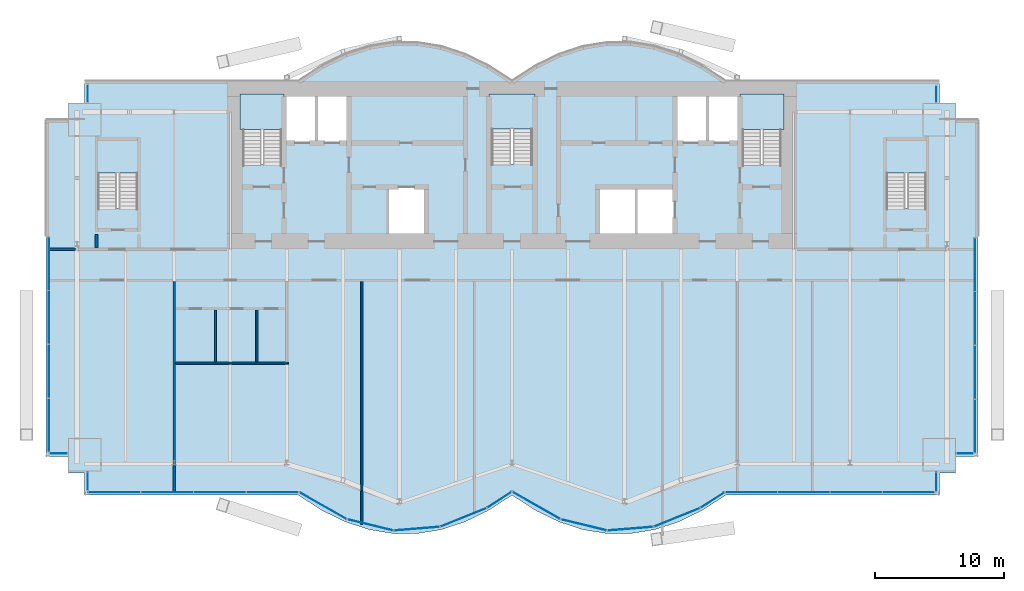
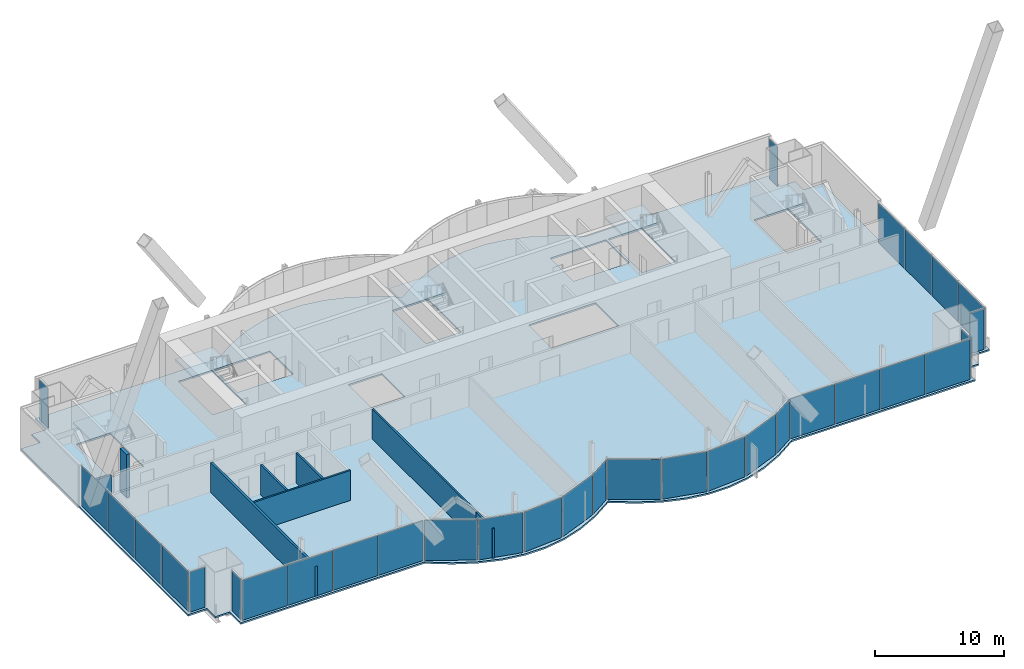
# One storey, part 17 of 24: 32 plates, 8 walls, 6 slabs, 17 elements without a shape of their own.
"""IFC4 building model written with IfcOpenShell, lengths in metres."""

import ifcopenshell
import ifcopenshell.guid

model = None  # the IFC model being written
_history = None  # IfcOwnerHistory: only IFC2X3 demands one
_inside = {}  # id of a spatial element -> (the spatial element, [elements in it])
_under = {}  # id of a project, library or spatial element -> (it, [spatial elements below it])
_declared = {}  # id of a project -> (the project, [libraries it declares])
_typed = {}  # id of a type object -> (the type object, [elements of that type])
_made_of = {}  # id of a material, layer set ... -> (it, [elements and type objects made of it])


def new_model(schema):
    """Start an empty IFC model of exactly this schema.

    Asked for "IFC4X3", IfcOpenShell would pick the latest addendum, in which some entities
    have other attributes; the version numbers below select the first issue.
    IFC2X3 requires an IfcOwnerHistory on every rooted entity: one is made here for all.
    """
    global model, _history
    if schema == "IFC4X3":
        model = ifcopenshell.file(schema_version=(4, 3, 0, 0))
    else:
        model = ifcopenshell.file(schema=schema)
    _inside.clear()
    _under.clear()
    _declared.clear()
    _typed.clear()
    _made_of.clear()
    _history = None
    if model.schema == "IFC2X3":
        org = make("IfcOrganization", Name="unknown")
        user = make(
            "IfcPersonAndOrganization",
            ThePerson=make("IfcPerson", FamilyName="unknown"),
            TheOrganization=org,
        )
        app = make(
            "IfcApplication",
            ApplicationDeveloper=org,
            Version="unknown",
            ApplicationFullName="unknown",
            ApplicationIdentifier="unknown",
        )
        _history = make(
            "IfcOwnerHistory",
            OwningUser=user,
            OwningApplication=app,
            ChangeAction="ADDED",
            CreationDate=0,
        )
    return model


def make(cls, **values):
    """One entity of the class cls with the attributes given. An attribute that is None is left unset."""
    return model.create_entity(
        cls, **{name: value for name, value in values.items() if value is not None}
    )


def rooted(cls, **values):
    """An entity with a GlobalId (a new one), such as an element, a storey or a relation."""
    return make(cls, GlobalId=ifcopenshell.guid.new(), OwnerHistory=_history, **values)


def si_unit(unit_type, name, prefix=None):
    """IfcSIUnit, for example si_unit("LENGTHUNIT", "METRE", prefix="MILLI")."""
    return make("IfcSIUnit", UnitType=unit_type, Prefix=prefix, Name=name)


def assignment(units):
    """IfcUnitAssignment: the units of a project."""
    return None if units is None else make("IfcUnitAssignment", Units=units)


def point(xyz):
    """IfcCartesianPoint."""
    return None if xyz is None else make("IfcCartesianPoint", Coordinates=xyz)


def direction(xyz):
    """IfcDirection."""
    return None if xyz is None else make("IfcDirection", DirectionRatios=xyz)


def frame(location, z_axis=None, x_axis=None):
    """IfcAxis2Placement3D, a coordinate frame: its origin and axes. An axis left out is left unset."""
    return make(
        "IfcAxis2Placement3D",
        Location=point(location),
        Axis=direction(z_axis),
        RefDirection=direction(x_axis),
    )


def frame_2d(location, x_axis=None):
    """IfcAxis2Placement2D, a coordinate frame in the plane: its origin and x axis."""
    return make(
        "IfcAxis2Placement2D", Location=point(location), RefDirection=direction(x_axis)
    )


def origin():
    """The frame at (0, 0, 0) with its axes left unset."""
    return frame((0.0, 0.0, 0.0))


def origin_2d():
    """The frame at (0, 0) in the plane with its x axis left unset."""
    return frame_2d((0.0, 0.0))


def place(relative_to, where):
    """IfcLocalPlacement: puts the frame where relative to a parent placement (None: the world)."""
    return make(
        "IfcLocalPlacement", PlacementRelTo=relative_to, RelativePlacement=where
    )


def context(
    kind, dimensions, precision=None, world=None, true_north=None, identifier=None
):
    """IfcGeometricRepresentationContext, for example the 3D "Model" context."""
    return make(
        "IfcGeometricRepresentationContext",
        ContextIdentifier=identifier,
        ContextType=kind,
        CoordinateSpaceDimension=dimensions,
        Precision=precision,
        WorldCoordinateSystem=world,
        TrueNorth=true_north,
    )


def subcontext(parent, identifier, kind, view, scale=None):
    """IfcGeometricRepresentationSubContext, for example "Body" below "Model"."""
    return make(
        "IfcGeometricRepresentationSubContext",
        ContextIdentifier=identifier,
        ContextType=kind,
        ParentContext=parent,
        TargetScale=scale,
        TargetView=view,
    )


def project(units=None, contexts=None):
    """IfcProject with its units and contexts."""
    return rooted(
        "IfcProject",
        Name="project",
        RepresentationContexts=contexts,
        UnitsInContext=assignment(units),
    )


def spatial(cls, under=None, at=None, **own):
    """A site, building, storey or space (cls), placed at a placement, below another one or the project."""
    s = rooted(cls, ObjectPlacement=at, **own)
    if under is not None:
        _under.setdefault(under.id(), (under, []))[1].append(s)
    return s


def polyline(points):
    """IfcPolyline through the points."""
    return make("IfcPolyline", Points=[point(p) for p in points])


def profile(cls, at=None, kind="AREA", **sizes):
    """A parametric profile (cls). Its sizes go by their IFC names, for example OverallWidth=200.0."""
    return make(cls, ProfileType=kind, Position=at, **sizes)


def rectangle(**sizes):
    """IfcRectangleProfileDef."""
    return profile("IfcRectangleProfileDef", **sizes)


def outline(outer, holes=None, kind="AREA"):
    """IfcArbitraryClosedProfileDef: a profile drawn as a closed curve; with holes, ...WithVoids."""
    if holes is None:
        return make("IfcArbitraryClosedProfileDef", ProfileType=kind, OuterCurve=outer)
    return make(
        "IfcArbitraryProfileDefWithVoids",
        ProfileType=kind,
        OuterCurve=outer,
        InnerCurves=holes,
    )


def extrude(swept, where, along, depth):
    """IfcExtrudedAreaSolid: the profile swept, set in the frame where, extruded along a direction by depth."""
    return make(
        "IfcExtrudedAreaSolid",
        SweptArea=swept,
        Position=where,
        ExtrudedDirection=direction(along),
        Depth=depth,
    )


def shape(context_of_items, identifier, shape_type, items):
    """IfcShapeRepresentation: the items that make up one representation, for example the "Body"."""
    return make(
        "IfcShapeRepresentation",
        ContextOfItems=context_of_items,
        RepresentationIdentifier=identifier,
        RepresentationType=shape_type,
        Items=items,
    )


def material(Name=None, Category=None):
    """IfcMaterial."""
    return make("IfcMaterial", Name=Name, Category=Category)


def layer(
    of_material, thickness, ventilated=None, Name=None, Category=None, Priority=None
):
    """IfcMaterialLayer: one layer of a wall or slab, of a material (None: an air gap)."""
    return make(
        "IfcMaterialLayer",
        Material=of_material,
        LayerThickness=thickness,
        IsVentilated=ventilated,
        Name=Name,
        Category=Category,
        Priority=Priority,
    )


def layer_set(layers, Name=None):
    """IfcMaterialLayerSet."""
    return make("IfcMaterialLayerSet", MaterialLayers=layers, LayerSetName=Name)


def made_of(thing, what):
    """Note that an element or type object is made of a material, layer set ...; save() writes the relation."""
    if what is not None:
        _made_of.setdefault(what.id(), (what, []))[1].append(thing)
    return thing


def type_object(cls, material=None, **own):
    """A type object (cls), such as IfcWallType, which elements share."""
    return made_of(rooted(cls, **own), material)


def element(
    cls,
    number,
    at=None,
    inside=None,
    cuts=None,
    type_object=None,
    material=None,
    context=None,
    identifier="Body",
    shape_type=None,
    held_by="IfcProductDefinitionShape",
    body=None,
    shapes=None,
    **own,
):
    """One element of the class cls, such as IfcWall. Its Tag is "e" and its number.

    at: its placement. inside: the storey or other place that contains it. cuts: it is an
    opening in that element (IfcRelVoidsElement). A single representation is given by context,
    identifier, shape_type and body (its items); several are given by shapes. held_by: the class
    of the entity that holds the representations. save() writes the other relations.
    """
    e = rooted(cls, Tag="e%d" % number, ObjectPlacement=at, **own)
    if body is not None:
        shapes = [shape(context, identifier, shape_type, body)]
    if shapes is not None:
        e.Representation = make(held_by, Representations=shapes)
    if inside is not None:
        _inside.setdefault(inside.id(), (inside, []))[1].append(e)
    if cuts is not None:
        rooted(
            "IfcRelVoidsElement", RelatingBuildingElement=cuts, RelatedOpeningElement=e
        )
    if type_object is not None:
        _typed.setdefault(type_object.id(), (type_object, []))[1].append(e)
    return made_of(e, material)


def aggregate(whole, parts):
    """IfcRelAggregates: a whole, such as a stair, and the parts it consists of."""
    return rooted("IfcRelAggregates", RelatingObject=whole, RelatedObjects=parts)


def save(model, path):
    """Write the relations noted so far, then the file.

    IfcRelAggregates (storeys below a building ...), IfcRelContainedInSpatialStructure (elements
    in a storey), IfcRelDefinesByType, IfcRelAssociatesMaterial and IfcRelDeclares: one each for
    every whole, place, type object, material and project.
    """
    for whole, parts in _under.values():
        aggregate(whole, parts)
    for where, things in _inside.values():
        rooted(
            "IfcRelContainedInSpatialStructure",
            RelatedElements=things,
            RelatingStructure=where,
        )
    for kind, things in _typed.values():
        rooted("IfcRelDefinesByType", RelatedObjects=things, RelatingType=kind)
    for what, things in _made_of.values():
        rooted("IfcRelAssociatesMaterial", RelatedObjects=things, RelatingMaterial=what)
    for by, libraries in _declared.values():
        rooted("IfcRelDeclares", RelatingContext=by, RelatedDefinitions=libraries)
    model.write(path)


model = new_model("IFC4")

# Units and contexts
model_context = context("Model", 3, precision=1e-05, world=origin(), true_north=direction((0.0, 1.0)))
body_context = subcontext(model_context, "Body", "Model", "MODEL_VIEW")
ifc_project = project(units=[si_unit("LENGTHUNIT", "METRE"), si_unit("AREAUNIT", "SQUARE_METRE"), si_unit("VOLUMEUNIT", "CUBIC_METRE"), si_unit("PLANEANGLEUNIT", "RADIAN"), si_unit("MASSUNIT", "GRAM", prefix="KILO")], contexts=[model_context])

# Site, building, storey
site_placement = place(None, origin())
site = spatial("IfcSite", under=ifc_project, at=site_placement, CompositionType="ELEMENT")
building_placement = place(site_placement, origin())
building = spatial("IfcBuilding", under=site, at=building_placement, Name="Bicima Exchange Tower", CompositionType="ELEMENT")
storey_placement = place(building_placement, frame((0.0, 0.0, 211.39990234375)))
storey = spatial("IfcBuildingStorey", under=building, at=storey_placement, Name="L47", CompositionType="ELEMENT", Elevation=211.39990234375)

# Slab
ifc_material_1 = material(Name="Concrete C40/50", Category="concrete")
ifc_layer_1 = layer(ifc_material_1, 0.14990234375)
ifc_layer_set_1 = layer_set([ifc_layer_1], Name="Concrete C40/50")
slab_type_1 = type_object("IfcSlabType", Name="Composite floor slab 150", PredefinedType="FLOOR", material=ifc_layer_set_1)
slab_1_placement = place(storey_placement, frame((0.0, 0.0, -0.14990234375)))
element("IfcSlab", 1, at=slab_1_placement, inside=storey, type_object=slab_type_1, Name="Floor slab", PredefinedType="FLOOR", context=body_context, shape_type="SweptSolid", body=[
    extrude(outline(polyline([(-36.0, -28.99609375), (-36.0, -3.0), (-34.300048828125, -3.0), (-34.300048828125, -1.699951171875), (-33.0, -1.699951171875), (-33.0, 0.0), (-16.5, 0.0), (-14.666748046875, 1.185302734375), (-12.833251953125, 2.07421875), (-11.0, 2.666748046875), (-9.166748046875, 2.962890625), (-7.333251953125, 2.962890625), (-5.5, 2.666748046875), (-3.666748046875, 2.07421875), (-1.833251953125, 1.185302734375), (0.0, 0.0), (1.833251953125, 1.185302734375), (3.666748046875, 2.07421875), (5.5, 2.666748046875), (7.333251953125, 2.962890625), (9.166748046875, 2.962890625), (11.0, 2.666748046875), (12.833251953125, 2.07421875), (14.666748046875, 1.185302734375), (16.5, 0.0), (33.0, 0.0), (33.0, -1.699951171875), (34.300048828125, -1.699951171875), (34.300048828125, -3.0), (36.0, -3.0), (36.0, -28.99609375), (34.300048828125, -28.99609375), (34.300048828125, -30.2958984375), (33.0, -30.2958984375), (33.0, -31.99609375), (16.5, -31.99609375), (14.666748046875, -33.18115234375), (12.833251953125, -34.070068359375), (11.0, -34.66259765625), (9.166748046875, -34.958984375), (7.333251953125, -34.958984375), (5.5, -34.66259765625), (3.666748046875, -34.070068359375), (1.833251953125, -33.18115234375), (0.0, -31.99609375), (-1.833251953125, -33.18115234375), (-3.666748046875, -34.070068359375), (-5.5, -34.66259765625), (-7.333251953125, -34.958984375), (-9.166748046875, -34.958984375), (-11.0, -34.66259765625), (-12.833251953125, -34.070068359375), (-14.666748046875, -33.18115234375), (-16.5, -31.99609375), (-33.0, -31.99609375), (-33.0, -30.2958984375), (-34.300048828125, -30.2958984375), (-34.300048828125, -28.99609375), (-36.0, -28.99609375)]), holes=[polyline([(-6.60009765625, -11.800048828125), (-6.60009765625, -8.199951171875), (-9.60009765625, -8.199951171875), (-9.60009765625, -11.800048828125), (-6.60009765625, -11.800048828125)]), polyline([(-31.97509765625, -9.824951171875), (-28.925048828125, -9.824951171875), (-28.925048828125, -4.625), (-31.97509765625, -4.625), (-31.97509765625, -9.824951171875)]), polyline([(-20.800048828125, -6.449951171875), (-17.800048828125, -6.449951171875), (-17.800048828125, -1.199951171875), (-20.800048828125, -1.199951171875), (-20.800048828125, -6.449951171875)]), polyline([(1.574951171875, -6.39990234375), (1.574951171875, -1.199951171875), (-1.574951171875, -1.199951171875), (-1.574951171875, -6.39990234375), (1.574951171875, -6.39990234375)]), polyline([(-12.60009765625, -4.800048828125), (-12.60009765625, -1.199951171875), (-15.10009765625, -1.199951171875), (-17.60009765625, -1.199951171875), (-17.60009765625, -4.800048828125), (-15.10009765625, -4.800048828125), (-12.60009765625, -4.800048828125)]), polyline([(12.60009765625, -8.199951171875), (9.60009765625, -8.199951171875), (6.60009765625, -8.199951171875), (6.60009765625, -11.800048828125), (9.60009765625, -11.800048828125), (12.60009765625, -11.800048828125), (12.60009765625, -8.199951171875)]), polyline([(28.925048828125, -9.824951171875), (31.97509765625, -9.824951171875), (31.97509765625, -4.625), (28.925048828125, -4.625), (28.925048828125, -9.824951171875)]), polyline([(20.800048828125, -6.449951171875), (20.800048828125, -1.199951171875), (17.800048828125, -1.199951171875), (17.800048828125, -6.449951171875), (20.800048828125, -6.449951171875)]), polyline([(17.60009765625, -4.800048828125), (17.60009765625, -1.199951171875), (15.10009765625, -1.199951171875), (12.60009765625, -1.199951171875), (12.60009765625, -4.800048828125), (15.10009765625, -4.800048828125), (17.60009765625, -4.800048828125)])]), origin(), (0.0, 0.0, 1.0), 0.14990234375),
])

# Curtain wall, plates
ifc_material_2 = material(Name="Anodised bronze aluminium", Category="aluminium")
curtain_wall_type_1 = type_object("IfcCurtainWallType", Name="End face glass wall", PredefinedType="NOTDEFINED", material=ifc_material_2)
curtain_wall_1_placement = place(storey_placement, origin())
curtain_wall_1 = element("IfcCurtainWall", 2, at=curtain_wall_1_placement, inside=storey, type_object=curtain_wall_type_1, Name="End face glass wall L47 run 2", PredefinedType="NOTDEFINED")
ifc_material_3 = material(Name="Bronze tinted glass", Category="glass")
ifc_layer_2 = layer(ifc_material_3, 0.031982421875)
ifc_layer_set_2 = layer_set([ifc_layer_2], Name="Bronze tinted glass")
plate_type_1 = type_object("IfcPlateType", Name="End face glass wall glass panel 32", PredefinedType="CURTAIN_PANEL", material=ifc_layer_set_2)
plate_1_placement = place(storey_placement, frame((-35.77001953125, -22.42138671875, 0.0), z_axis=(0.0, 0.0, 1.0), x_axis=(0.0, -1.0, 0.0)))
plate_1 = element("IfcPlate", 3, at=plate_1_placement, type_object=plate_type_1, Name="End face glass wall panel 3.1", PredefinedType="CURTAIN_PANEL", context=body_context, shape_type="SweptSolid", body=[
    extrude(rectangle(XDim=4.096435546875, YDim=0.031982421875, at=origin_2d()), origin(), (0.0, 0.0, 1.0), 3.81005859375),
])
plate_2_placement = place(storey_placement, frame((-35.77001953125, -26.577880859375, 0.0), z_axis=(0.0, 0.0, 1.0), x_axis=(0.0, -1.0, 0.0)))
plate_2 = element("IfcPlate", 4, at=plate_2_placement, type_object=plate_type_1, Name="End face glass wall panel 4.1", PredefinedType="CURTAIN_PANEL", context=body_context, shape_type="SweptSolid", body=[
    extrude(rectangle(XDim=4.096435546875, YDim=0.031982421875, at=origin_2d()), origin(), (0.0, 0.0, 1.0), 3.81005859375),
])

curtain_wall_2_placement = place(storey_placement, origin())
curtain_wall_2 = element("IfcCurtainWall", 5, at=curtain_wall_2_placement, inside=storey, type_object=curtain_wall_type_1, Name="End face glass wall L47 run 19", PredefinedType="NOTDEFINED")
plate_3_placement = place(storey_placement, frame((35.77001953125, -26.65771484375, 0.0), z_axis=(0.0, 0.0, 1.0), x_axis=(0.0, 1.0, 0.0)))
plate_3 = element("IfcPlate", 6, at=plate_3_placement, type_object=plate_type_1, Name="End face glass wall panel 1.1", PredefinedType="CURTAIN_PANEL", context=body_context, shape_type="SweptSolid", body=[
    extrude(rectangle(XDim=4.096435546875, YDim=0.031982421875, at=origin_2d()), origin(), (0.0, 0.0, 1.0), 3.81005859375),
])
plate_4_placement = place(storey_placement, frame((35.77001953125, -22.501220703125, 0.0), z_axis=(0.0, 0.0, 1.0), x_axis=(0.0, 1.0, 0.0)))
plate_4 = element("IfcPlate", 7, at=plate_4_placement, type_object=plate_type_1, Name="End face glass wall panel 2.1", PredefinedType="CURTAIN_PANEL", context=body_context, shape_type="SweptSolid", body=[
    extrude(rectangle(XDim=4.096435546875, YDim=0.031982421875, at=origin_2d()), origin(), (0.0, 0.0, 1.0), 3.81005859375),
])

# Plate
ifc_material_4 = material(Name="Bronze anodised aluminium", Category="aluminium")
ifc_layer_3 = layer(ifc_material_4, 0.031982421875)
ifc_layer_set_3 = layer_set([ifc_layer_3], Name="Bronze anodised aluminium")
plate_type_2 = type_object("IfcPlateType", Name="End face glass wall spandrel panel 32", PredefinedType="CURTAIN_PANEL", material=ifc_layer_set_3)
plate_5_placement = place(storey_placement, frame((-35.77001953125, -14.108154296875, 0.0), z_axis=(0.0, 0.0, 1.0), x_axis=(0.0, -1.0, 0.0)))
plate_5 = element("IfcPlate", 8, at=plate_5_placement, type_object=plate_type_2, Name="End face spandrel wall panel 1.1", PredefinedType="CURTAIN_PANEL", context=body_context, shape_type="SweptSolid", body=[
    extrude(rectangle(XDim=4.096435546875, YDim=0.031982421875, at=origin_2d()), origin(), (0.0, 0.0, 1.0), 3.81005859375),
])

plate_6_placement = place(storey_placement, frame((-35.77001953125, -18.2646484375, 0.0), z_axis=(0.0, 0.0, 1.0), x_axis=(0.0, -1.0, 0.0)))
plate_6 = element("IfcPlate", 9, at=plate_6_placement, type_object=plate_type_2, Name="End face spandrel wall panel 2.1", PredefinedType="CURTAIN_PANEL", context=body_context, shape_type="SweptSolid", body=[
    extrude(rectangle(XDim=4.096435546875, YDim=0.031982421875, at=origin_2d()), origin(), (0.0, 0.0, 1.0), 3.81005859375),
])

aggregate(curtain_wall_1, [plate_5, plate_6, plate_1, plate_2])

plate_7_placement = place(storey_placement, frame((35.77001953125, -18.3447265625, 0.0), z_axis=(0.0, 0.0, 1.0), x_axis=(0.0, 1.0, 0.0)))
plate_7 = element("IfcPlate", 10, at=plate_7_placement, type_object=plate_type_2, Name="End face spandrel wall panel 3.1", PredefinedType="CURTAIN_PANEL", context=body_context, shape_type="SweptSolid", body=[
    extrude(rectangle(XDim=4.096435546875, YDim=0.031982421875, at=origin_2d()), origin(), (0.0, 0.0, 1.0), 3.81005859375),
])

plate_8_placement = place(storey_placement, frame((35.77001953125, -14.188232421875, 0.0), z_axis=(0.0, 0.0, 1.0), x_axis=(0.0, 1.0, 0.0)))
plate_8 = element("IfcPlate", 11, at=plate_8_placement, type_object=plate_type_2, Name="End face spandrel wall panel 4.1", PredefinedType="CURTAIN_PANEL", context=body_context, shape_type="SweptSolid", body=[
    extrude(rectangle(XDim=4.096435546875, YDim=0.031982421875, at=origin_2d()), origin(), (0.0, 0.0, 1.0), 3.81005859375),
])

aggregate(curtain_wall_2, [plate_3, plate_4, plate_7, plate_8])

# Curtain wall, plate
curtain_wall_type_2 = type_object("IfcCurtainWallType", Name="Front glass wall", PredefinedType="NOTDEFINED", material=ifc_material_2)
curtain_wall_3_placement = place(storey_placement, origin())
curtain_wall_3 = element("IfcCurtainWall", 12, at=curtain_wall_3_placement, inside=storey, type_object=curtain_wall_type_2, Name="Front glass wall L47 run 1", PredefinedType="NOTDEFINED")
ifc_layer_4 = layer(ifc_material_3, 0.031982421875)
ifc_layer_set_4 = layer_set([ifc_layer_4], Name="Bronze tinted glass")
plate_type_3 = type_object("IfcPlateType", Name="Front glass wall glass panel 32", PredefinedType="CURTAIN_PANEL", material=ifc_layer_set_4)
plate_9_placement = place(storey_placement, frame((-32.77001953125, -0.965087890625, 0.0), z_axis=(0.0, 0.0, 1.0), x_axis=(0.0, -1.0, 0.0)))
plate_9 = element("IfcPlate", 13, at=plate_9_placement, type_object=plate_type_3, Name="Front glass wall panel 1.1", PredefinedType="CURTAIN_PANEL", context=body_context, shape_type="SweptSolid", body=[
    extrude(rectangle(XDim=1.35009765625, YDim=0.031982421875, at=origin_2d()), origin(), (0.0, 0.0, 1.0), 3.81005859375),
])
aggregate(curtain_wall_3, [plate_9])

curtain_wall_4_placement = place(storey_placement, origin())
curtain_wall_4 = element("IfcCurtainWall", 14, at=curtain_wall_4_placement, inside=storey, type_object=curtain_wall_type_2, Name="Front glass wall L47 run 3", PredefinedType="NOTDEFINED")
plate_10_placement = place(storey_placement, frame((-35.034912109375, -28.76611328125, 0.0), z_axis=(0.0, 0.0, 1.0), x_axis=(1.0, 0.0, 0.0)))
plate_10 = element("IfcPlate", 15, at=plate_10_placement, type_object=plate_type_3, Name="Front glass wall panel 1.1", PredefinedType="CURTAIN_PANEL", context=body_context, shape_type="SweptSolid", body=[
    extrude(rectangle(XDim=1.35009765625, YDim=0.031982421875, at=origin_2d()), origin(), (0.0, 0.0, 1.0), 3.81005859375),
])
aggregate(curtain_wall_4, [plate_10])

curtain_wall_5_placement = place(storey_placement, origin())
curtain_wall_5 = element("IfcCurtainWall", 16, at=curtain_wall_5_placement, inside=storey, type_object=curtain_wall_type_2, Name="Front glass wall L47 run 4", PredefinedType="NOTDEFINED")
plate_11_placement = place(storey_placement, frame((-32.77001953125, -30.929931640625, 0.0), z_axis=(0.0, 0.0, 1.0), x_axis=(0.0, -1.0, 0.0)))
plate_11 = element("IfcPlate", 17, at=plate_11_placement, type_object=plate_type_3, Name="Front glass wall panel 1.1", PredefinedType="CURTAIN_PANEL", context=body_context, shape_type="SweptSolid", body=[
    extrude(rectangle(XDim=1.39208984375, YDim=0.031982421875, at=origin_2d()), origin(), (0.0, 0.0, 1.0), 3.81005859375),
])
aggregate(curtain_wall_5, [plate_11])

# Curtain wall, plates
curtain_wall_6_placement = place(storey_placement, origin())
curtain_wall_6 = element("IfcCurtainWall", 18, at=curtain_wall_6_placement, inside=storey, type_object=curtain_wall_type_2, Name="Front glass wall L47 run 5", PredefinedType="NOTDEFINED")
plate_12_placement = place(storey_placement, frame((-30.705322265625, -31.76611328125, 0.0), z_axis=(0.0, 0.0, 1.0), x_axis=(1.0, 0.0, 0.0)))
plate_12 = element("IfcPlate", 19, at=plate_12_placement, type_object=plate_type_3, Name="Front glass wall panel 1.1", PredefinedType="CURTAIN_PANEL", context=body_context, shape_type="SweptSolid", body=[
    extrude(rectangle(XDim=4.009521484375, YDim=0.031982421875, at=origin_2d()), origin(), (0.0, 0.0, 1.0), 3.81005859375),
])
plate_13_placement = place(storey_placement, frame((-26.6357421875, -31.76611328125, 0.0), z_axis=(0.0, 0.0, 1.0), x_axis=(1.0, 0.0, 0.0)))
plate_13 = element("IfcPlate", 20, at=plate_13_placement, type_object=plate_type_3, Name="Front glass wall panel 2.1", PredefinedType="CURTAIN_PANEL", context=body_context, shape_type="SweptSolid", body=[
    extrude(rectangle(XDim=4.009521484375, YDim=0.031982421875, at=origin_2d()), origin(), (0.0, 0.0, 1.0), 3.81005859375),
])
plate_14_placement = place(storey_placement, frame((-22.56640625, -31.76611328125, 0.0), z_axis=(0.0, 0.0, 1.0), x_axis=(1.0, 0.0, 0.0)))
plate_14 = element("IfcPlate", 21, at=plate_14_placement, type_object=plate_type_3, Name="Front glass wall panel 3.1", PredefinedType="CURTAIN_PANEL", context=body_context, shape_type="SweptSolid", body=[
    extrude(rectangle(XDim=4.009521484375, YDim=0.031982421875, at=origin_2d()), origin(), (0.0, 0.0, 1.0), 3.81005859375),
])
plate_15_placement = place(storey_placement, frame((-18.496826171875, -31.76611328125, 0.0), z_axis=(0.0, 0.0, 1.0), x_axis=(1.0, 0.0, 0.0)))
plate_15 = element("IfcPlate", 22, at=plate_15_placement, type_object=plate_type_3, Name="Front glass wall panel 4.1", PredefinedType="CURTAIN_PANEL", context=body_context, shape_type="SweptSolid", body=[
    extrude(rectangle(XDim=4.009521484375, YDim=0.031982421875, at=origin_2d()), origin(), (0.0, 0.0, 1.0), 3.81005859375),
])
aggregate(curtain_wall_6, [plate_12, plate_13, plate_14, plate_15])

curtain_wall_7_placement = place(storey_placement, origin())
curtain_wall_7 = element("IfcCurtainWall", 23, at=curtain_wall_7_placement, inside=storey, type_object=curtain_wall_type_2, Name="Front glass wall L47 run 6", PredefinedType="NOTDEFINED")
plate_16_placement = place(storey_placement, frame((-14.589599609375, -32.81103515625, 0.0), z_axis=(0.0, 0.0, 1.0), x_axis=(0.869805110681, -0.493395449343, 0.0)))
plate_16 = element("IfcPlate", 24, at=plate_16_placement, type_object=plate_type_3, Name="Front glass wall panel 1.1", PredefinedType="CURTAIN_PANEL", context=body_context, shape_type="SweptSolid", body=[
    extrude(rectangle(XDim=4.1162109375, YDim=0.031982421875, at=origin_2d()), origin(), (0.0, 0.0, 1.0), 3.81005859375),
])
plate_17_placement = place(storey_placement, frame((-10.94775390625, -34.29248046875, 0.0), z_axis=(0.0, 0.0, 1.0), x_axis=(0.971830343553, -0.235681529503, 0.0)))
plate_17 = element("IfcPlate", 25, at=plate_17_placement, type_object=plate_type_3, Name="Front glass wall panel 1.1", PredefinedType="CURTAIN_PANEL", context=body_context, shape_type="SweptSolid", body=[
    extrude(rectangle(XDim=3.583251953125, YDim=0.031982421875, at=origin_2d()), origin(), (0.0, 0.0, 1.0), 3.81005859375),
])
plate_18_placement = place(storey_placement, frame((-7.35107421875, -34.583740234375, 0.0), z_axis=(0.0, 0.0, 1.0), x_axis=(0.99674744821, 0.080588612633, 0.0)))
plate_18 = element("IfcPlate", 26, at=plate_18_placement, type_object=plate_type_3, Name="Front glass wall panel 1.1", PredefinedType="CURTAIN_PANEL", context=body_context, shape_type="SweptSolid", body=[
    extrude(rectangle(XDim=3.486083984375, YDim=0.031982421875, at=origin_2d()), origin(), (0.0, 0.0, 1.0), 3.81005859375),
])
plate_19_placement = place(storey_placement, frame((-3.750244140625, -33.70947265625, 0.0), z_axis=(0.0, 0.0, 1.0), x_axis=(0.92714396679, 0.374705304, 0.0)))
plate_19 = element("IfcPlate", 27, at=plate_19_placement, type_object=plate_type_3, Name="Front glass wall panel 1.1", PredefinedType="CURTAIN_PANEL", context=body_context, shape_type="SweptSolid", body=[
    extrude(rectangle(XDim=3.771240234375, YDim=0.031982421875, at=origin_2d()), origin(), (0.0, 0.0, 1.0), 3.81005859375),
])
plate_20_placement = place(storey_placement, frame((-0.97314453125, -32.351318359375, 0.0), z_axis=(0.0, 0.0, 1.0), x_axis=(0.839798994301, 0.542897457326, 0.0)))
plate_20 = element("IfcPlate", 28, at=plate_20_placement, type_object=plate_type_3, Name="Front glass wall panel 1.1", PredefinedType="CURTAIN_PANEL", context=body_context, shape_type="SweptSolid", body=[
    extrude(rectangle(XDim=2.197509765625, YDim=0.031982421875, at=origin_2d()), origin(), (0.0, 0.0, 1.0), 3.81005859375),
])
aggregate(curtain_wall_7, [plate_16, plate_17, plate_18, plate_19, plate_20])

curtain_wall_8_placement = place(storey_placement, origin())
curtain_wall_8 = element("IfcCurtainWall", 29, at=curtain_wall_8_placement, inside=storey, type_object=curtain_wall_type_2, Name="Front glass wall L47 run 11", PredefinedType="NOTDEFINED")
plate_21_placement = place(storey_placement, frame((1.876220703125, -32.789306640625, 0.0), z_axis=(0.0, 0.0, 1.0), x_axis=(0.869274147378, -0.494330311331, 0.0)))
plate_21 = element("IfcPlate", 30, at=plate_21_placement, type_object=plate_type_3, Name="Front glass wall panel 1.1", PredefinedType="CURTAIN_PANEL", context=body_context, shape_type="SweptSolid", body=[
    extrude(rectangle(XDim=4.197021484375, YDim=0.031982421875, at=origin_2d()), origin(), (0.0, 0.0, 1.0), 3.81005859375),
])
plate_22_placement = place(storey_placement, frame((5.55224609375, -34.29248046875, 0.0), z_axis=(0.0, 0.0, 1.0), x_axis=(0.971830343553, -0.235681529503, 0.0)))
plate_22 = element("IfcPlate", 31, at=plate_22_placement, type_object=plate_type_3, Name="Front glass wall panel 1.1", PredefinedType="CURTAIN_PANEL", context=body_context, shape_type="SweptSolid", body=[
    extrude(rectangle(XDim=3.583251953125, YDim=0.031982421875, at=origin_2d()), origin(), (0.0, 0.0, 1.0), 3.81005859375),
])
plate_23_placement = place(storey_placement, frame((9.14892578125, -34.583740234375, 0.0), z_axis=(0.0, 0.0, 1.0), x_axis=(0.99674744821, 0.080588612633, 0.0)))
plate_23 = element("IfcPlate", 32, at=plate_23_placement, type_object=plate_type_3, Name="Front glass wall panel 1.1", PredefinedType="CURTAIN_PANEL", context=body_context, shape_type="SweptSolid", body=[
    extrude(rectangle(XDim=3.486083984375, YDim=0.031982421875, at=origin_2d()), origin(), (0.0, 0.0, 1.0), 3.81005859375),
])
plate_24_placement = place(storey_placement, frame((12.749755859375, -33.70947265625, 0.0), z_axis=(0.0, 0.0, 1.0), x_axis=(0.92714396679, 0.374705304, 0.0)))
plate_24 = element("IfcPlate", 33, at=plate_24_placement, type_object=plate_type_3, Name="Front glass wall panel 1.1", PredefinedType="CURTAIN_PANEL", context=body_context, shape_type="SweptSolid", body=[
    extrude(rectangle(XDim=3.771240234375, YDim=0.031982421875, at=origin_2d()), origin(), (0.0, 0.0, 1.0), 3.81005859375),
])
plate_25_placement = place(storey_placement, frame((15.492919921875, -32.373291015625, 0.0), z_axis=(0.0, 0.0, 1.0), x_axis=(0.839791413941, 0.542909183079, 0.0)))
plate_25 = element("IfcPlate", 34, at=plate_25_placement, type_object=plate_type_3, Name="Front glass wall panel 1.1", PredefinedType="CURTAIN_PANEL", context=body_context, shape_type="SweptSolid", body=[
    extrude(rectangle(XDim=2.11669921875, YDim=0.031982421875, at=origin_2d()), origin(), (0.0, 0.0, 1.0), 3.81005859375),
])
aggregate(curtain_wall_8, [plate_21, plate_22, plate_23, plate_24, plate_25])

curtain_wall_9_placement = place(storey_placement, origin())
curtain_wall_9 = element("IfcCurtainWall", 35, at=curtain_wall_9_placement, inside=storey, type_object=curtain_wall_type_2, Name="Front glass wall L47 run 16", PredefinedType="NOTDEFINED")
plate_26_placement = place(storey_placement, frame((18.48681640625, -31.76611328125, 0.0), z_axis=(0.0, 0.0, 1.0), x_axis=(1.0, 0.0, 0.0)))
plate_26 = element("IfcPlate", 36, at=plate_26_placement, type_object=plate_type_3, Name="Front glass wall panel 1.1", PredefinedType="CURTAIN_PANEL", context=body_context, shape_type="SweptSolid", body=[
    extrude(rectangle(XDim=3.989501953125, YDim=0.031982421875, at=origin_2d()), origin(), (0.0, 0.0, 1.0), 3.81005859375),
])
plate_27_placement = place(storey_placement, frame((22.536376953125, -31.76611328125, 0.0), z_axis=(0.0, 0.0, 1.0), x_axis=(1.0, 0.0, 0.0)))
plate_27 = element("IfcPlate", 37, at=plate_27_placement, type_object=plate_type_3, Name="Front glass wall panel 2.1", PredefinedType="CURTAIN_PANEL", context=body_context, shape_type="SweptSolid", body=[
    extrude(rectangle(XDim=3.989501953125, YDim=0.031982421875, at=origin_2d()), origin(), (0.0, 0.0, 1.0), 3.81005859375),
])
plate_28_placement = place(storey_placement, frame((26.585693359375, -31.76611328125, 0.0), z_axis=(0.0, 0.0, 1.0), x_axis=(1.0, 0.0, 0.0)))
plate_28 = element("IfcPlate", 38, at=plate_28_placement, type_object=plate_type_3, Name="Front glass wall panel 3.1", PredefinedType="CURTAIN_PANEL", context=body_context, shape_type="SweptSolid", body=[
    extrude(rectangle(XDim=3.989501953125, YDim=0.031982421875, at=origin_2d()), origin(), (0.0, 0.0, 1.0), 3.81005859375),
])
plate_29_placement = place(storey_placement, frame((30.63525390625, -31.76611328125, 0.0), z_axis=(0.0, 0.0, 1.0), x_axis=(1.0, 0.0, 0.0)))
plate_29 = element("IfcPlate", 39, at=plate_29_placement, type_object=plate_type_3, Name="Front glass wall panel 4.1", PredefinedType="CURTAIN_PANEL", context=body_context, shape_type="SweptSolid", body=[
    extrude(rectangle(XDim=3.989501953125, YDim=0.031982421875, at=origin_2d()), origin(), (0.0, 0.0, 1.0), 3.81005859375),
])
aggregate(curtain_wall_9, [plate_26, plate_27, plate_28, plate_29])

# Curtain wall, plate
curtain_wall_10_placement = place(storey_placement, origin())
curtain_wall_10 = element("IfcCurtainWall", 40, at=curtain_wall_10_placement, inside=storey, type_object=curtain_wall_type_2, Name="Front glass wall L47 run 17", PredefinedType="NOTDEFINED")
plate_30_placement = place(storey_placement, frame((32.77001953125, -30.969970703125, 0.0), z_axis=(0.0, 0.0, 1.0), x_axis=(0.0, 1.0, 0.0)))
plate_30 = element("IfcPlate", 41, at=plate_30_placement, type_object=plate_type_3, Name="Front glass wall panel 1.1", PredefinedType="CURTAIN_PANEL", context=body_context, shape_type="SweptSolid", body=[
    extrude(rectangle(XDim=1.471923828125, YDim=0.031982421875, at=origin_2d()), origin(), (0.0, 0.0, 1.0), 3.81005859375),
])
aggregate(curtain_wall_10, [plate_30])

curtain_wall_11_placement = place(storey_placement, origin())
curtain_wall_11 = element("IfcCurtainWall", 42, at=curtain_wall_11_placement, inside=storey, type_object=curtain_wall_type_2, Name="Front glass wall L47 run 18", PredefinedType="NOTDEFINED")
plate_31_placement = place(storey_placement, frame((34.9951171875, -28.76611328125, 0.0), z_axis=(0.0, 0.0, 1.0), x_axis=(1.0, 0.0, 0.0)))
plate_31 = element("IfcPlate", 43, at=plate_31_placement, type_object=plate_type_3, Name="Front glass wall panel 1.1", PredefinedType="CURTAIN_PANEL", context=body_context, shape_type="SweptSolid", body=[
    extrude(rectangle(XDim=1.27001953125, YDim=0.031982421875, at=origin_2d()), origin(), (0.0, 0.0, 1.0), 3.81005859375),
])
aggregate(curtain_wall_11, [plate_31])

curtain_wall_12_placement = place(storey_placement, origin())
curtain_wall_12 = element("IfcCurtainWall", 44, at=curtain_wall_12_placement, inside=storey, type_object=curtain_wall_type_2, Name="Front glass wall L47 run 20", PredefinedType="NOTDEFINED")
plate_32_placement = place(storey_placement, frame((32.77001953125, -1.0048828125, 0.0), z_axis=(0.0, 0.0, 1.0), x_axis=(0.0, 1.0, 0.0)))
plate_32 = element("IfcPlate", 45, at=plate_32_placement, type_object=plate_type_3, Name="Front glass wall panel 1.1", PredefinedType="CURTAIN_PANEL", context=body_context, shape_type="SweptSolid", body=[
    extrude(rectangle(XDim=1.27001953125, YDim=0.031982421875, at=origin_2d()), origin(), (0.0, 0.0, 1.0), 3.81005859375),
])
aggregate(curtain_wall_12, [plate_32])

# Stair, slab
ifc_material_5 = material(Name="Concrete C50/60", Category="concrete")
stair_type_1 = type_object("IfcStairType", Name="Exit stair", PredefinedType="HALF_TURN_STAIR", material=ifc_material_5)
stair_1_placement = place(storey_placement, origin())
stair_1 = element("IfcStair", 46, at=stair_1_placement, inside=storey, type_object=stair_type_1, Name="L47 West exit stair", PredefinedType="HALF_TURN_STAIR")
ifc_layer_5 = layer(ifc_material_5, 0.199951171875)
ifc_layer_set_5 = layer_set([ifc_layer_5], Name="Concrete C50/60")
slab_type_2 = type_object("IfcSlabType", Name="Stair landing slab", PredefinedType="LANDING", material=ifc_layer_set_5)
slab_2_placement = place(storey_placement, frame((0.0, 0.0, 1.85009765625)))
slab_2 = element("IfcSlab", 47, at=slab_2_placement, type_object=slab_type_2, Name="ST-W landing 1", PredefinedType="LANDING", context=body_context, shape_type="SweptSolid", body=[
    extrude(outline(polyline([(-17.60009765625, -3.75), (-17.60009765625, -1.0), (-21.0, -1.0), (-21.0, -3.75), (-17.60009765625, -3.75)])), origin(), (0.0, 0.0, 1.0), 0.199951171875),
])
aggregate(stair_1, [slab_2])

stair_type_2 = type_object("IfcStairType", Name="Exit stair 1500", PredefinedType="HALF_TURN_STAIR", material=ifc_material_5)
stair_2_placement = place(storey_placement, origin())
stair_2 = element("IfcStair", 48, at=stair_2_placement, inside=storey, type_object=stair_type_2, Name="L47 Central exit stair", PredefinedType="HALF_TURN_STAIR")
slab_3_placement = place(storey_placement, frame((0.0, 0.0, 1.85009765625)))
slab_3 = element("IfcSlab", 49, at=slab_3_placement, type_object=slab_type_2, Name="ST-C landing 1", PredefinedType="LANDING", context=body_context, shape_type="SweptSolid", body=[
    extrude(outline(polyline([(1.77490234375, -3.699951171875), (1.77490234375, -1.0), (-1.77490234375, -1.0), (-1.77490234375, -3.699951171875), (1.77490234375, -3.699951171875)])), origin(), (0.0, 0.0, 1.0), 0.199951171875),
])
aggregate(stair_2, [slab_3])

stair_3_placement = place(storey_placement, origin())
stair_3 = element("IfcStair", 50, at=stair_3_placement, inside=storey, type_object=stair_type_1, Name="L47 East exit stair", PredefinedType="HALF_TURN_STAIR")
slab_4_placement = place(storey_placement, frame((0.0, 0.0, 1.85009765625)))
slab_4 = element("IfcSlab", 51, at=slab_4_placement, type_object=slab_type_2, Name="ST-E landing 1", PredefinedType="LANDING", context=body_context, shape_type="SweptSolid", body=[
    extrude(outline(polyline([(21.0, -3.75), (21.0, -1.0), (17.60009765625, -1.0), (17.60009765625, -3.75), (21.0, -3.75)])), origin(), (0.0, 0.0, 1.0), 0.199951171875),
])
aggregate(stair_3, [slab_4])

stair_4_placement = place(storey_placement, origin())
stair_4 = element("IfcStair", 52, at=stair_4_placement, inside=storey, type_object=stair_type_1, Name="L47 West end exit stair", PredefinedType="HALF_TURN_STAIR")
slab_5_placement = place(storey_placement, frame((0.0, 0.0, 1.85009765625)))
slab_5 = element("IfcSlab", 53, at=slab_5_placement, type_object=slab_type_2, Name="ST-WW landing 1", PredefinedType="LANDING", context=body_context, shape_type="SweptSolid", body=[
    extrude(outline(polyline([(-28.72509765625, -7.125), (-28.72509765625, -4.425048828125), (-32.175048828125, -4.425048828125), (-32.175048828125, -7.125), (-28.72509765625, -7.125)])), origin(), (0.0, 0.0, 1.0), 0.199951171875),
])
aggregate(stair_4, [slab_5])

stair_5_placement = place(storey_placement, origin())
stair_5 = element("IfcStair", 54, at=stair_5_placement, inside=storey, type_object=stair_type_1, Name="L47 East end exit stair", PredefinedType="HALF_TURN_STAIR")
slab_6_placement = place(storey_placement, frame((0.0, 0.0, 1.85009765625)))
slab_6 = element("IfcSlab", 55, at=slab_6_placement, type_object=slab_type_2, Name="ST-EE landing 1", PredefinedType="LANDING", context=body_context, shape_type="SweptSolid", body=[
    extrude(outline(polyline([(32.175048828125, -7.125), (32.175048828125, -4.425048828125), (28.72509765625, -4.425048828125), (28.72509765625, -7.125), (32.175048828125, -7.125)])), origin(), (0.0, 0.0, 1.0), 0.199951171875),
])
aggregate(stair_5, [slab_6])

# Walls
ifc_material_6 = material(Name="Gypsum board partition")
ifc_layer_6 = layer(ifc_material_6, 0.199951171875)
ifc_layer_set_6 = layer_set([ifc_layer_6], Name="Gypsum board partition")
wall_type_1 = type_object("IfcWallType", Name="Fire-rated gypsum partition 200 EI60", PredefinedType="PARTITIONING", material=ifc_layer_set_6)
wall_1_placement = place(storey_placement, frame((-35.679931640625, -13.0, 0.0), z_axis=(0.0, 0.0, 1.0), x_axis=(1.0, 0.0, 0.0)))
element("IfcWall", 56, at=wall_1_placement, inside=storey, type_object=wall_type_1, Name="partition wall 4", PredefinedType="PARTITIONING", context=body_context, shape_type="SweptSolid", body=[
    extrude(rectangle(XDim=1.9599609375, YDim=0.199951171875, at=frame_2d((0.97998046875, 0.0))), origin(), (0.0, 0.0, 1.0), 2.840576171875),
])
wall_2_placement = place(storey_placement, frame((-26.10009765625, -31.7900390625, 0.0), z_axis=(0.0, 0.0, 1.0), x_axis=(0.0, 1.0, 0.0)))
element("IfcWall", 57, at=wall_2_placement, inside=storey, type_object=wall_type_1, Name="partition wall 14", PredefinedType="PARTITIONING", context=body_context, shape_type="SweptSolid", body=[
    extrude(rectangle(XDim=16.2900390625, YDim=0.199951171875, at=frame_2d((8.14501953125, 0.0))), origin(), (0.0, 0.0, 1.0), 2.840576171875),
])
ifc_layer_7 = layer(ifc_material_6, 0.14990234375)
ifc_layer_set_7 = layer_set([ifc_layer_7], Name="Gypsum board partition")
wall_type_2 = type_object("IfcWallType", Name="Gypsum partition 150", PredefinedType="PARTITIONING", material=ifc_layer_set_7)
wall_3_placement = place(storey_placement, frame((-26.0, -21.800048828125, 0.0), z_axis=(0.0, 0.0, 1.0), x_axis=(1.0, 0.0, 0.0)))
element("IfcWall", 58, at=wall_3_placement, inside=storey, type_object=wall_type_2, Name="partition wall 1", PredefinedType="PARTITIONING", context=body_context, shape_type="SweptSolid", body=[
    extrude(rectangle(XDim=8.699951171875, YDim=0.14990234375, at=frame_2d((4.35009765625, 0.0))), origin(), (0.0, 0.0, 1.0), 2.840576171875),
])
for number, where, z_axis, x_axis, name in (
    (59, (-22.89990234375, -21.72509765625, 0.0), (0.0, 0.0, 1.0), (0.0, 1.0, 0.0), "partition wall 15"),
    (60, (-19.699951171875, -21.72509765625, 0.0), (0.0, 0.0, 1.0), (0.0, 1.0, 0.0), "partition wall 16"),
):
    element("IfcWall", number, at=place(storey_placement, frame(where, z_axis=z_axis, x_axis=x_axis)), inside=storey, type_object=wall_type_2, Name=name, PredefinedType="PARTITIONING", context=body_context, shape_type="SweptSolid", body=[
        extrude(rectangle(XDim=4.025146484375, YDim=0.14990234375, at=frame_2d((2.0126953125, 0.0))), origin(), (0.0, 0.0, 1.0), 2.840576171875),
    ])
wall_4_placement = place(storey_placement, frame((-11.60009765625, -34.25, 0.0), z_axis=(0.0, 0.0, 1.0), x_axis=(0.0, 1.0, 0.0)))
element("IfcWall", 61, at=wall_4_placement, inside=storey, type_object=wall_type_2, Name="partition wall 18", PredefinedType="PARTITIONING", context=body_context, shape_type="SweptSolid", body=[
    extrude(rectangle(XDim=2.578857421875, YDim=0.14990234375, at=frame_2d((1.28955078125, 0.0))), origin(), (0.0, 0.0, 1.0), 2.840576171875),
])
wall_5_placement = place(storey_placement, frame((-11.60009765625, -31.671142578125, 0.0), z_axis=(0.0, 0.0, 1.0), x_axis=(0.0, 1.0, 0.0)))
element("IfcWall", 62, at=wall_5_placement, inside=storey, type_object=wall_type_2, Name="partition wall 19", PredefinedType="PARTITIONING", context=body_context, shape_type="SweptSolid", body=[
    extrude(rectangle(XDim=16.171142578125, YDim=0.14990234375, at=frame_2d((8.08544921875, 0.0))), origin(), (0.0, 0.0, 1.0), 2.840576171875),
])
ifc_layer_8 = layer(ifc_material_5, 0.25)
ifc_layer_set_8 = layer_set([ifc_layer_8], Name="Concrete C50/60")
wall_type_3 = type_object("IfcWallType", Name="RC core wall 250 C50/60", PredefinedType="SHEAR", material=ifc_layer_set_8)
wall_6_placement = place(storey_placement, frame((-32.10009765625, -12.89990234375, 0.0), z_axis=(0.0, 0.0, 1.0), x_axis=(0.0, 1.0, 0.0)))
element("IfcWall", 63, at=wall_6_placement, inside=storey, type_object=wall_type_3, Name="stair wall 12", PredefinedType="SHEAR", context=body_context, shape_type="SweptSolid", body=[
    extrude(rectangle(XDim=1.0498046875, YDim=0.25, at=frame_2d((0.52490234375, 0.0))), origin(), (0.0, 0.0, 1.0), 4.10009765625),
])

save(model, "model.ifc")
